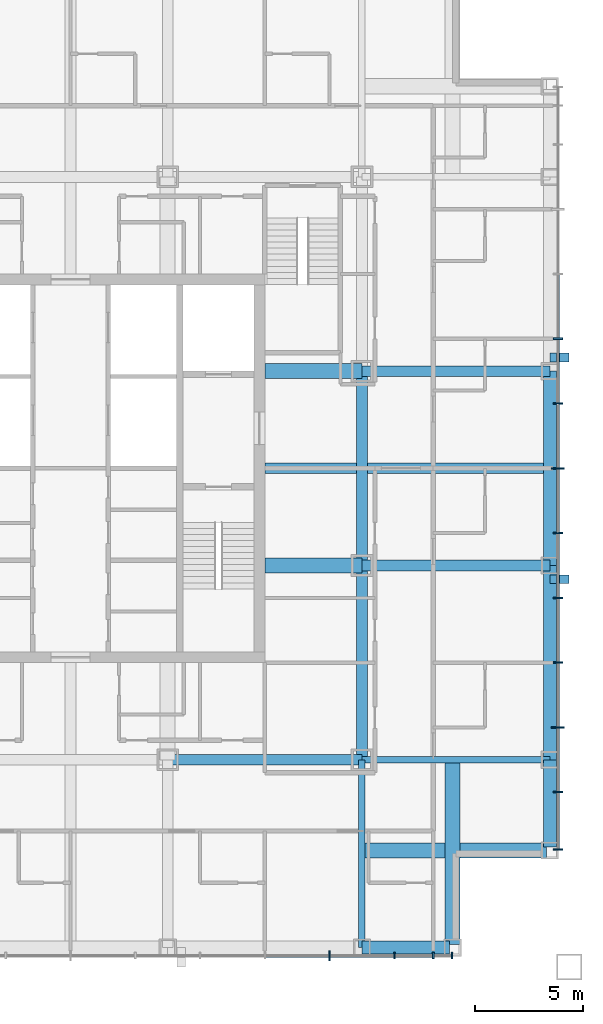
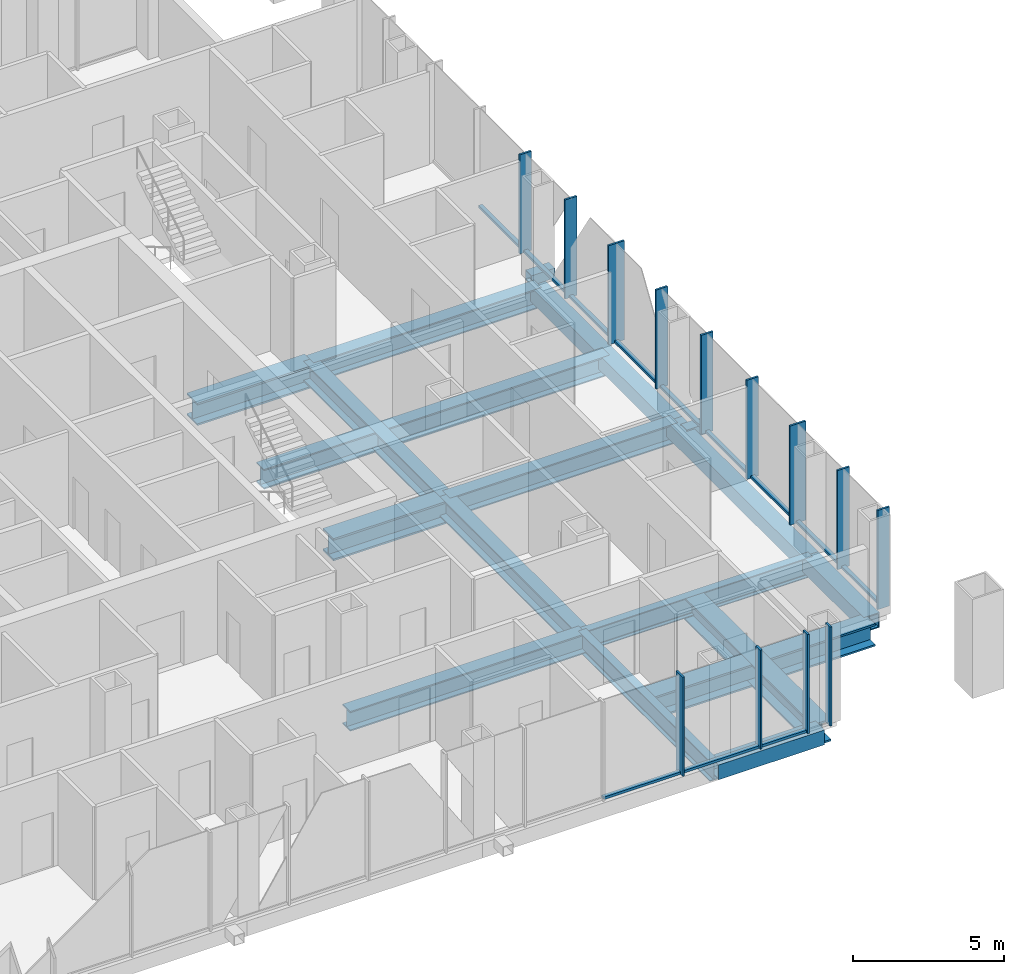
# One storey, part 3 of 17: 27 members, 16 beams, 2 elements without a shape of their own.
"""IFC4 building model written with IfcOpenShell, lengths in metres."""

from ifc_helpers import new_model, si_unit, direction, frame, origin, origin_2d, place, context, subcontext, project, spatial, rectangle, hollow_rectangle, i_section, extrude, material, layer, layer_set, material_profile, profile_set, type_object, element, aggregate, save


model = new_model("IFC4")

# Units and contexts
model_context = context("Model", 3, precision=1e-05, world=origin(), true_north=direction((0.0, 1.0)))
body_context = subcontext(model_context, "Body", "Model", "MODEL_VIEW")
ifc_project = project(units=[si_unit("LENGTHUNIT", "METRE"), si_unit("AREAUNIT", "SQUARE_METRE"), si_unit("VOLUMEUNIT", "CUBIC_METRE"), si_unit("PLANEANGLEUNIT", "RADIAN"), si_unit("MASSUNIT", "GRAM", prefix="KILO")], contexts=[model_context])

# Site, building, storey
site_placement = place(None, origin())
site = spatial("IfcSite", under=ifc_project, at=site_placement, CompositionType="ELEMENT")
building_placement = place(site_placement, origin())
building = spatial("IfcBuilding", under=site, at=building_placement, Name="Malebo Sky Hospital", CompositionType="ELEMENT")
storey_placement = place(building_placement, frame((0.0, 0.0, 237.0)))
storey = spatial("IfcBuildingStorey", under=building, at=storey_placement, Name="L57", CompositionType="ELEMENT", Elevation=237.0)

# Curtain wall, members
ifc_material_1 = material(Name="Anodised aluminium, natural silver", Category="aluminium")
ifc_layer_1 = layer(ifc_material_1, 0.25)
ifc_layer_set_1 = layer_set([ifc_layer_1], Name="WARD CURTAIN WALL NORTH AND SOUTH")
curtain_wall_type_1 = type_object("IfcCurtainWallType", Name="WARD CURTAIN WALL NORTH AND SOUTH", PredefinedType="NOTDEFINED", material=ifc_layer_set_1)
curtain_wall_1_placement = place(storey_placement, origin())
curtain_wall_1 = element("IfcCurtainWall", 1, at=curtain_wall_1_placement, inside=storey, type_object=curtain_wall_type_1, Name="NS curtain wall S", PredefinedType="NOTDEFINED")
ifc_material_profile_1 = material_profile(ifc_material_1, rectangle(XDim=0.14990234375, YDim=0.10009765625, at=origin_2d()), Name="ALUMINIUM TRANSOM 150x100")
ifc_profile_set_1 = profile_set([ifc_material_profile_1], Name="Anodised aluminium, natural silver")
member_type_1 = type_object("IfcMemberType", Name="ALUMINIUM TRANSOM 150x100", PredefinedType="USERDEFINED", material=ifc_profile_set_1)
member_1_placement = place(storey_placement, frame((76.762451171875, 39.425048828125, 0.050048828125), z_axis=(-1.0, 0.0, 0.0), x_axis=(0.0, -1.0, 0.0)))
member_1 = element("IfcMember", 2, at=member_1_placement, type_object=member_type_1, Name="Transom 2", ObjectType="TRANSOM", PredefinedType="USERDEFINED", context=body_context, shape_type="SweptSolid", body=[
    extrude(rectangle(XDim=0.14990234375, YDim=0.10009765625, at=origin_2d()), origin(), (0.0, 0.0, 1.0), 1.724853515625),
])
member_2_placement = place(storey_placement, frame((74.96240234375, 39.425048828125, 0.050048828125), z_axis=(-1.0, 0.0, 0.0), x_axis=(0.0, -1.0, 0.0)))
member_2 = element("IfcMember", 3, at=member_2_placement, type_object=member_type_1, Name="Transom 3", ObjectType="TRANSOM", PredefinedType="USERDEFINED", context=body_context, shape_type="SweptSolid", body=[
    extrude(rectangle(XDim=0.14990234375, YDim=0.10009765625, at=origin_2d()), origin(), (0.0, 0.0, 1.0), 2.9248046875),
])
member_3_placement = place(storey_placement, frame((71.96240234375, 39.425048828125, 0.050048828125), z_axis=(-1.0, 0.0, 0.0), x_axis=(0.0, -1.0, 0.0)))
member_3 = element("IfcMember", 4, at=member_3_placement, type_object=member_type_1, Name="Transom 4", ObjectType="TRANSOM", PredefinedType="USERDEFINED", context=body_context, shape_type="SweptSolid", body=[
    extrude(rectangle(XDim=0.14990234375, YDim=0.10009765625, at=origin_2d()), origin(), (0.0, 0.0, 1.0), 2.9248046875),
])

ifc_layer_2 = layer(ifc_material_1, 0.25)
ifc_layer_set_2 = layer_set([ifc_layer_2], Name="WARD CURTAIN WALL EAST AND WEST")
curtain_wall_type_2 = type_object("IfcCurtainWallType", Name="WARD CURTAIN WALL EAST AND WEST", PredefinedType="NOTDEFINED", material=ifc_layer_set_2)
curtain_wall_2_placement = place(storey_placement, origin())
curtain_wall_2 = element("IfcCurtainWall", 5, at=curtain_wall_2_placement, inside=storey, type_object=curtain_wall_type_2, Name="EW curtain wall E", PredefinedType="NOTDEFINED")
member_4_placement = place(storey_placement, frame((82.574951171875, 70.96240234375, 0.050048828125), z_axis=(0.0, -1.0, 0.0), x_axis=(1.0, 0.0, 0.0)))
member_4 = element("IfcMember", 6, at=member_4_placement, type_object=member_type_1, Name="Transom 5", ObjectType="TRANSOM", PredefinedType="USERDEFINED", context=body_context, shape_type="SweptSolid", body=[
    extrude(rectangle(XDim=0.14990234375, YDim=0.10009765625, at=origin_2d()), origin(), (0.0, 0.0, 1.0), 2.9248046875),
])
member_5_placement = place(storey_placement, frame((82.574951171875, 67.96240234375, 0.050048828125), z_axis=(0.0, -1.0, 0.0), x_axis=(1.0, 0.0, 0.0)))
member_5 = element("IfcMember", 7, at=member_5_placement, type_object=member_type_1, Name="Transom 6", ObjectType="TRANSOM", PredefinedType="USERDEFINED", context=body_context, shape_type="SweptSolid", body=[
    extrude(rectangle(XDim=0.14990234375, YDim=0.10009765625, at=origin_2d()), origin(), (0.0, 0.0, 1.0), 2.9248046875),
])
member_6_placement = place(storey_placement, frame((82.574951171875, 64.96240234375, 0.050048828125), z_axis=(0.0, -1.0, 0.0), x_axis=(1.0, 0.0, 0.0)))
member_6 = element("IfcMember", 8, at=member_6_placement, type_object=member_type_1, Name="Transom 7", ObjectType="TRANSOM", PredefinedType="USERDEFINED", context=body_context, shape_type="SweptSolid", body=[
    extrude(rectangle(XDim=0.14990234375, YDim=0.10009765625, at=origin_2d()), origin(), (0.0, 0.0, 1.0), 2.9248046875),
])
member_7_placement = place(storey_placement, frame((82.574951171875, 61.96240234375, 0.050048828125), z_axis=(0.0, -1.0, 0.0), x_axis=(1.0, 0.0, 0.0)))
member_7 = element("IfcMember", 9, at=member_7_placement, type_object=member_type_1, Name="Transom 8", ObjectType="TRANSOM", PredefinedType="USERDEFINED", context=body_context, shape_type="SweptSolid", body=[
    extrude(rectangle(XDim=0.14990234375, YDim=0.10009765625, at=origin_2d()), origin(), (0.0, 0.0, 1.0), 2.9248046875),
])
member_8_placement = place(storey_placement, frame((82.574951171875, 58.96240234375, 0.050048828125), z_axis=(0.0, -1.0, 0.0), x_axis=(1.0, 0.0, 0.0)))
member_8 = element("IfcMember", 10, at=member_8_placement, type_object=member_type_1, Name="Transom 9", ObjectType="TRANSOM", PredefinedType="USERDEFINED", context=body_context, shape_type="SweptSolid", body=[
    extrude(rectangle(XDim=0.14990234375, YDim=0.10009765625, at=origin_2d()), origin(), (0.0, 0.0, 1.0), 2.9248046875),
])
member_9_placement = place(storey_placement, frame((82.574951171875, 55.96240234375, 0.050048828125), z_axis=(0.0, -1.0, 0.0), x_axis=(1.0, 0.0, 0.0)))
member_9 = element("IfcMember", 11, at=member_9_placement, type_object=member_type_1, Name="Transom 10", ObjectType="TRANSOM", PredefinedType="USERDEFINED", context=body_context, shape_type="SweptSolid", body=[
    extrude(rectangle(XDim=0.14990234375, YDim=0.10009765625, at=origin_2d()), origin(), (0.0, 0.0, 1.0), 2.9248046875),
])
member_10_placement = place(storey_placement, frame((82.574951171875, 52.96240234375, 0.050048828125), z_axis=(0.0, -1.0, 0.0), x_axis=(1.0, 0.0, 0.0)))
member_10 = element("IfcMember", 12, at=member_10_placement, type_object=member_type_1, Name="Transom 11", ObjectType="TRANSOM", PredefinedType="USERDEFINED", context=body_context, shape_type="SweptSolid", body=[
    extrude(rectangle(XDim=0.14990234375, YDim=0.10009765625, at=origin_2d()), origin(), (0.0, 0.0, 1.0), 2.9248046875),
])
member_11_placement = place(storey_placement, frame((82.574951171875, 49.96240234375, 0.050048828125), z_axis=(0.0, -1.0, 0.0), x_axis=(1.0, 0.0, 0.0)))
member_11 = element("IfcMember", 13, at=member_11_placement, type_object=member_type_1, Name="Transom 12", ObjectType="TRANSOM", PredefinedType="USERDEFINED", context=body_context, shape_type="SweptSolid", body=[
    extrude(rectangle(XDim=0.14990234375, YDim=0.10009765625, at=origin_2d()), origin(), (0.0, 0.0, 1.0), 2.9248046875),
])
member_12_placement = place(storey_placement, frame((82.574951171875, 46.96240234375, 0.050048828125), z_axis=(0.0, -1.0, 0.0), x_axis=(1.0, 0.0, 0.0)))
member_12 = element("IfcMember", 14, at=member_12_placement, type_object=member_type_1, Name="Transom 13", ObjectType="TRANSOM", PredefinedType="USERDEFINED", context=body_context, shape_type="SweptSolid", body=[
    extrude(rectangle(XDim=0.14990234375, YDim=0.10009765625, at=origin_2d()), origin(), (0.0, 0.0, 1.0), 2.58740234375),
])

# Members
ifc_material_2 = material(Name="Steel S355", Category="steel")
ifc_material_profile_2 = material_profile(ifc_material_2, hollow_rectangle(XDim=0.39990234375, YDim=0.39990234375, WallThickness=0.02001953125, at=origin_2d()), Name="SHS 400x20")
ifc_profile_set_2 = profile_set([ifc_material_profile_2], Name="Steel S355")
member_type_2 = type_object("IfcMemberType", Name="BRACE STRUT SHS 400x20", PredefinedType="STRUT", material=ifc_profile_set_2)
for number, where, z_axis, x_axis, name in (
    (15, (83.10009765625, 56.86669921875, -0.39990234375), (-1.0, 0.0, 0.0), (0.0, -1.0, 0.0), "Brace strut CE1 L57"),
    (16, (83.10009765625, 67.13330078125, -0.39990234375), (-1.0, 0.0, 0.0), (0.0, -1.0, 0.0), "Brace strut CE2 L57"),
):
    element("IfcMember", number, at=place(storey_placement, frame(where, z_axis=z_axis, x_axis=x_axis)), inside=storey, type_object=member_type_2, Name=name, PredefinedType="STRUT", context=body_context, shape_type="SweptSolid", body=[
        extrude(hollow_rectangle(XDim=0.39990234375, YDim=0.39990234375, WallThickness=0.02001953125, at=origin_2d()), origin(), (0.0, 0.0, 1.0), 0.900146484375),
    ])

# Member
ifc_material_profile_3 = material_profile(ifc_material_1, rectangle(XDim=0.074951171875, YDim=0.300048828125, at=origin_2d()), Name="CW1 ALUMINIUM FIN MULLION 75x300")
ifc_profile_set_3 = profile_set([ifc_material_profile_3], Name="Anodised aluminium, natural silver")
member_type_3 = type_object("IfcMemberType", Name="CW1 ALUMINIUM FIN MULLION 75x300", PredefinedType="MULLION", material=ifc_profile_set_3)
member_13_placement = place(storey_placement, frame((77.66259765625, 39.425048828125, 0.0), z_axis=(0.0, 0.0, 1.0), x_axis=(-1.0, 0.0, 0.0)))
member_13 = element("IfcMember", 17, at=member_13_placement, type_object=member_type_3, Name="Fin mullion 1", PredefinedType="MULLION", context=body_context, shape_type="SweptSolid", body=[
    extrude(rectangle(XDim=0.074951171875, YDim=0.300048828125, at=origin_2d()), origin(), (0.0, 0.0, 1.0), 4.0),
])

member_14_placement = place(storey_placement, frame((76.800048828125, 39.425048828125, 0.0), z_axis=(0.0, 0.0, 1.0), x_axis=(-1.0, 0.0, 0.0)))
member_14 = element("IfcMember", 18, at=member_14_placement, type_object=member_type_3, Name="Fin mullion 2", PredefinedType="MULLION", context=body_context, shape_type="SweptSolid", body=[
    extrude(rectangle(XDim=0.074951171875, YDim=0.300048828125, at=origin_2d()), origin(), (0.0, 0.0, 1.0), 4.0),
])

member_15_placement = place(storey_placement, frame((75.0, 39.425048828125, 0.0), z_axis=(0.0, 0.0, 1.0), x_axis=(-1.0, 0.0, 0.0)))
member_15 = element("IfcMember", 19, at=member_15_placement, type_object=member_type_3, Name="Fin mullion 3", PredefinedType="MULLION", context=body_context, shape_type="SweptSolid", body=[
    extrude(rectangle(XDim=0.074951171875, YDim=0.300048828125, at=origin_2d()), origin(), (0.0, 0.0, 1.0), 4.0),
])

ifc_material_profile_4 = material_profile(ifc_material_1, rectangle(XDim=0.074951171875, YDim=0.449951171875, at=origin_2d()), Name="CW1 ALUMINIUM FIN MULLION 75x450")
ifc_profile_set_4 = profile_set([ifc_material_profile_4], Name="Anodised aluminium, natural silver")
member_type_4 = type_object("IfcMemberType", Name="CW1 ALUMINIUM FIN MULLION 75x450", PredefinedType="MULLION", material=ifc_profile_set_4)
member_16_placement = place(storey_placement, frame((72.0, 39.425048828125, 0.0), z_axis=(0.0, 0.0, 1.0), x_axis=(-1.0, 0.0, 0.0)))
member_16 = element("IfcMember", 20, at=member_16_placement, type_object=member_type_4, Name="Fin mullion 4", PredefinedType="MULLION", context=body_context, shape_type="SweptSolid", body=[
    extrude(rectangle(XDim=0.074951171875, YDim=0.449951171875, at=origin_2d()), origin(), (0.0, 0.0, 1.0), 4.0),
])

aggregate(curtain_wall_1, [member_13, member_14, member_15, member_16, member_1, member_2, member_3])

ifc_material_profile_5 = material_profile(ifc_material_1, rectangle(XDim=0.074951171875, YDim=0.449951171875, at=origin_2d()), Name="CW2 ALUMINIUM FIN MULLION 75x450")
ifc_profile_set_5 = profile_set([ifc_material_profile_5], Name="Anodised aluminium, natural silver")
member_type_5 = type_object("IfcMemberType", Name="CW2 ALUMINIUM FIN MULLION 75x450", PredefinedType="MULLION", material=ifc_profile_set_5)
member_17_placement = place(storey_placement, frame((82.574951171875, 68.0, 0.0), z_axis=(0.0, 0.0, 1.0), x_axis=(0.0, -1.0, 0.0)))
member_17 = element("IfcMember", 21, at=member_17_placement, type_object=member_type_5, Name="Fin mullion 6", PredefinedType="MULLION", context=body_context, shape_type="SweptSolid", body=[
    extrude(rectangle(XDim=0.074951171875, YDim=0.449951171875, at=origin_2d()), origin(), (0.0, 0.0, 1.0), 4.0),
])

member_18_placement = place(storey_placement, frame((82.574951171875, 65.0, 0.0), z_axis=(0.0, 0.0, 1.0), x_axis=(0.0, -1.0, 0.0)))
member_18 = element("IfcMember", 22, at=member_18_placement, type_object=member_type_5, Name="Fin mullion 7", PredefinedType="MULLION", context=body_context, shape_type="SweptSolid", body=[
    extrude(rectangle(XDim=0.074951171875, YDim=0.449951171875, at=origin_2d()), origin(), (0.0, 0.0, 1.0), 4.0),
])

member_19_placement = place(storey_placement, frame((82.574951171875, 59.0, 0.0), z_axis=(0.0, 0.0, 1.0), x_axis=(0.0, -1.0, 0.0)))
member_19 = element("IfcMember", 23, at=member_19_placement, type_object=member_type_5, Name="Fin mullion 9", PredefinedType="MULLION", context=body_context, shape_type="SweptSolid", body=[
    extrude(rectangle(XDim=0.074951171875, YDim=0.449951171875, at=origin_2d()), origin(), (0.0, 0.0, 1.0), 4.0),
])

member_20_placement = place(storey_placement, frame((82.574951171875, 56.0, 0.0), z_axis=(0.0, 0.0, 1.0), x_axis=(0.0, -1.0, 0.0)))
member_20 = element("IfcMember", 24, at=member_20_placement, type_object=member_type_5, Name="Fin mullion 10", PredefinedType="MULLION", context=body_context, shape_type="SweptSolid", body=[
    extrude(rectangle(XDim=0.074951171875, YDim=0.449951171875, at=origin_2d()), origin(), (0.0, 0.0, 1.0), 4.0),
])

member_21_placement = place(storey_placement, frame((82.574951171875, 53.0, 0.0), z_axis=(0.0, 0.0, 1.0), x_axis=(0.0, -1.0, 0.0)))
member_21 = element("IfcMember", 25, at=member_21_placement, type_object=member_type_5, Name="Fin mullion 11", PredefinedType="MULLION", context=body_context, shape_type="SweptSolid", body=[
    extrude(rectangle(XDim=0.074951171875, YDim=0.449951171875, at=origin_2d()), origin(), (0.0, 0.0, 1.0), 4.0),
])

member_22_placement = place(storey_placement, frame((82.574951171875, 47.0, 0.0), z_axis=(0.0, 0.0, 1.0), x_axis=(0.0, -1.0, 0.0)))
member_22 = element("IfcMember", 26, at=member_22_placement, type_object=member_type_5, Name="Fin mullion 13", PredefinedType="MULLION", context=body_context, shape_type="SweptSolid", body=[
    extrude(rectangle(XDim=0.074951171875, YDim=0.449951171875, at=origin_2d()), origin(), (0.0, 0.0, 1.0), 4.0),
])

member_23_placement = place(storey_placement, frame((82.574951171875, 44.33740234375, 0.0), z_axis=(0.0, 0.0, 1.0), x_axis=(0.0, -1.0, 0.0)))
member_23 = element("IfcMember", 27, at=member_23_placement, type_object=member_type_5, Name="Fin mullion 14", PredefinedType="MULLION", context=body_context, shape_type="SweptSolid", body=[
    extrude(rectangle(XDim=0.074951171875, YDim=0.449951171875, at=origin_2d()), origin(), (0.0, 0.0, 1.0), 4.0),
])

ifc_material_profile_6 = material_profile(ifc_material_1, rectangle(XDim=0.074951171875, YDim=0.60009765625, at=origin_2d()), Name="CW2 ALUMINIUM FIN MULLION 75x600")
ifc_profile_set_6 = profile_set([ifc_material_profile_6], Name="Anodised aluminium, natural silver")
member_type_6 = type_object("IfcMemberType", Name="CW2 ALUMINIUM FIN MULLION 75x600", PredefinedType="MULLION", material=ifc_profile_set_6)
member_24_placement = place(storey_placement, frame((82.574951171875, 62.0, 0.0), z_axis=(0.0, 0.0, 1.0), x_axis=(0.0, -1.0, 0.0)))
member_24 = element("IfcMember", 28, at=member_24_placement, type_object=member_type_6, Name="Fin mullion 8", PredefinedType="MULLION", context=body_context, shape_type="SweptSolid", body=[
    extrude(rectangle(XDim=0.074951171875, YDim=0.60009765625, at=origin_2d()), origin(), (0.0, 0.0, 1.0), 4.0),
])

member_25_placement = place(storey_placement, frame((82.574951171875, 50.0, 0.0), z_axis=(0.0, 0.0, 1.0), x_axis=(0.0, -1.0, 0.0)))
member_25 = element("IfcMember", 29, at=member_25_placement, type_object=member_type_6, Name="Fin mullion 12", PredefinedType="MULLION", context=body_context, shape_type="SweptSolid", body=[
    extrude(rectangle(XDim=0.074951171875, YDim=0.60009765625, at=origin_2d()), origin(), (0.0, 0.0, 1.0), 4.0),
])

aggregate(curtain_wall_2, [member_17, member_18, member_24, member_19, member_20, member_21, member_25, member_22, member_23, member_4, member_5, member_6, member_7, member_8, member_9, member_10, member_11, member_12])

# Beams
ifc_material_3 = material(Name="Steel S460", Category="steel")
ifc_material_profile_7 = material_profile(ifc_material_3, hollow_rectangle(XDim=0.60009765625, YDim=0.60009765625, WallThickness=0.0400390625, at=origin_2d()), Name="BOX 600x600x40")
ifc_profile_set_7 = profile_set([ifc_material_profile_7], Name="Steel S460")
beam_type_1 = type_object("IfcBeamType", Name="EDGE BEAM BOX 600x600x40", PredefinedType="BEAM", material=ifc_profile_set_7)
beam_1_placement = place(storey_placement, frame((82.199951171875, 44.449951171875, -0.550048828125), z_axis=(0.0, 1.0, 0.0), x_axis=(-1.0, 0.0, 0.0)))
element("IfcBeam", 30, at=beam_1_placement, inside=storey, type_object=beam_type_1, Name="Beam 029 L57", PredefinedType="BEAM", context=body_context, shape_type="SweptSolid", body=[
    extrude(hollow_rectangle(XDim=0.60009765625, YDim=0.60009765625, WallThickness=0.0400390625, at=origin_2d()), origin(), (0.0, 0.0, 1.0), 4.050048828125),
])
for number, where, z_axis, x_axis, name in (
    (31, (82.199951171875, 48.5, -0.550048828125), (0.0, 1.0, 0.0), (-1.0, 0.0, 0.0), "Beam 030 L57"),
    (32, (82.199951171875, 57.5, -0.550048828125), (0.0, 1.0, 0.0), (-1.0, 0.0, 0.0), "Beam 031 L57"),
):
    element("IfcBeam", number, at=place(storey_placement, frame(where, z_axis=z_axis, x_axis=x_axis)), inside=storey, type_object=beam_type_1, Name=name, PredefinedType="BEAM", context=body_context, shape_type="SweptSolid", body=[
        extrude(hollow_rectangle(XDim=0.60009765625, YDim=0.60009765625, WallThickness=0.0400390625, at=origin_2d()), origin(), (0.0, 0.0, 1.0), 9.0),
    ])
beam_2_placement = place(storey_placement, frame((73.5, 39.800048828125, -0.550048828125), z_axis=(1.0, 0.0, 0.0), x_axis=(0.0, 1.0, 0.0)))
element("IfcBeam", 33, at=beam_2_placement, inside=storey, type_object=beam_type_1, Name="Beam 038 L57", PredefinedType="BEAM", context=body_context, shape_type="SweptSolid", body=[
    extrude(hollow_rectangle(XDim=0.60009765625, YDim=0.60009765625, WallThickness=0.0400390625, at=origin_2d()), origin(), (0.0, 0.0, 1.0), 4.050048828125),
])
ifc_material_profile_8 = material_profile(ifc_material_2, i_section(OverallWidth=0.5, OverallDepth=0.800048828125, WebThickness=0.030029296875, FlangeThickness=0.050048828125, at=origin_2d()), Name="PG 800x500x30x50")
ifc_profile_set_8 = profile_set([ifc_material_profile_8], Name="Steel S355")
beam_type_2 = type_object("IfcBeamType", Name="FLOOR BEAM PG 800x500x30x50", PredefinedType="BEAM", material=ifc_profile_set_8)
for number, where, z_axis, x_axis, name in (
    (34, (73.5, 48.5, -0.64990234375), (0.0, 1.0, 0.0), (-1.0, 0.0, 0.0), "Beam 023 L57"),
    (35, (64.5, 48.5, -0.64990234375), (1.0, 0.0, 0.0), (0.0, 1.0, 0.0), "Beam 044 L57"),
):
    element("IfcBeam", number, at=place(storey_placement, frame(where, z_axis=z_axis, x_axis=x_axis)), inside=storey, type_object=beam_type_2, Name=name, PredefinedType="BEAM", context=body_context, shape_type="SweptSolid", body=[
        extrude(i_section(OverallWidth=0.5, OverallDepth=0.800048828125, WebThickness=0.030029296875, FlangeThickness=0.050048828125, at=origin_2d()), origin(), (0.0, 0.0, 1.0), 9.0),
    ])
beam_3_placement = place(storey_placement, frame((73.5, 57.5, -0.64990234375), z_axis=(1.0, 0.0, 0.0), x_axis=(0.0, 1.0, 0.0)))
element("IfcBeam", 36, at=beam_3_placement, inside=storey, type_object=beam_type_2, Name="Beam 049 L57", PredefinedType="BEAM", context=body_context, shape_type="SweptSolid", body=[
    extrude(i_section(OverallWidth=0.5, OverallDepth=0.800048828125, WebThickness=0.030029296875, FlangeThickness=0.050048828125, at=origin_2d()), origin(), (0.0, 0.0, 1.0), 8.699951171875),
])
beam_4_placement = place(storey_placement, frame((69.0, 62.0, -0.64990234375), z_axis=(1.0, 0.0, 0.0), x_axis=(0.0, 1.0, 0.0)))
element("IfcBeam", 37, at=beam_4_placement, inside=storey, type_object=beam_type_2, Name="Beam 051 L57", PredefinedType="BEAM", context=body_context, shape_type="SweptSolid", body=[
    extrude(i_section(OverallWidth=0.5, OverallDepth=0.800048828125, WebThickness=0.030029296875, FlangeThickness=0.050048828125, at=origin_2d()), origin(), (0.0, 0.0, 1.0), 13.199951171875),
])
beam_5_placement = place(storey_placement, frame((73.5, 66.5, -0.64990234375), z_axis=(1.0, 0.0, 0.0), x_axis=(0.0, 1.0, 0.0)))
element("IfcBeam", 38, at=beam_5_placement, inside=storey, type_object=beam_type_2, Name="Beam 055 L57", PredefinedType="BEAM", context=body_context, shape_type="SweptSolid", body=[
    extrude(i_section(OverallWidth=0.5, OverallDepth=0.800048828125, WebThickness=0.030029296875, FlangeThickness=0.050048828125, at=origin_2d()), origin(), (0.0, 0.0, 1.0), 8.699951171875),
])
ifc_material_profile_9 = material_profile(ifc_material_2, i_section(OverallWidth=0.699951171875, OverallDepth=0.89990234375, WebThickness=0.0400390625, FlangeThickness=0.070068359375, at=origin_2d()), Name="PG 900x700x40x70")
ifc_profile_set_9 = profile_set([ifc_material_profile_9], Name="Steel S355")
beam_type_3 = type_object("IfcBeamType", Name="FLOOR BEAM PG 900x700x40x70", PredefinedType="BEAM", material=ifc_profile_set_9)
for number, where, z_axis, x_axis, name in (
    (39, (77.699951171875, 39.949951171875, -0.699951171875), (0.0, 1.0, 0.0), (-1.0, 0.0, 0.0), "Beam 027 L57"),
    (40, (73.5, 44.300048828125, -0.699951171875), (1.0, 0.0, 0.0), (0.0, 1.0, 0.0), "Beam 040 L57"),
):
    element("IfcBeam", number, at=place(storey_placement, frame(where, z_axis=z_axis, x_axis=x_axis)), inside=storey, type_object=beam_type_3, Name=name, PredefinedType="BEAM", context=body_context, shape_type="SweptSolid", body=[
        extrude(i_section(OverallWidth=0.699951171875, OverallDepth=0.89990234375, WebThickness=0.0400390625, FlangeThickness=0.070068359375, at=origin_2d()), origin(), (0.0, 0.0, 1.0), 8.550048828125),
    ])
for number, where, z_axis, x_axis, name in (
    (41, (69.0, 57.5, -0.699951171875), (1.0, 0.0, 0.0), (0.0, 1.0, 0.0), "Beam 048 L57"),
    (42, (69.0, 66.5, -0.699951171875), (1.0, 0.0, 0.0), (0.0, 1.0, 0.0), "Beam 054 L57"),
):
    element("IfcBeam", number, at=place(storey_placement, frame(where, z_axis=z_axis, x_axis=x_axis)), inside=storey, type_object=beam_type_3, Name=name, PredefinedType="BEAM", context=body_context, shape_type="SweptSolid", body=[
        extrude(i_section(OverallWidth=0.699951171875, OverallDepth=0.89990234375, WebThickness=0.0400390625, FlangeThickness=0.070068359375, at=origin_2d()), origin(), (0.0, 0.0, 1.0), 4.5),
    ])
ifc_material_profile_10 = material_profile(ifc_material_2, i_section(OverallWidth=0.300048828125, OverallDepth=0.800048828125, WebThickness=0.017578125, FlangeThickness=0.032958984375, FilletRadius=0.030029296875, at=origin_2d()), Name="HEB 800")
ifc_profile_set_10 = profile_set([ifc_material_profile_10], Name="Steel S355")
beam_type_4 = type_object("IfcBeamType", Name="FLOOR GIRDER HEB 800", PredefinedType="BEAM", material=ifc_profile_set_10)
for number, where, z_axis, x_axis, name in (
    (43, (73.5, 39.800048828125, -0.64990234375), (0.0, 1.0, 0.0), (-1.0, 0.0, 0.0), "Beam 022 L57"),
    (44, (73.5, 48.5, -0.64990234375), (1.0, 0.0, 0.0), (0.0, 1.0, 0.0), "Beam 045 L57"),
):
    element("IfcBeam", number, at=place(storey_placement, frame(where, z_axis=z_axis, x_axis=x_axis)), inside=storey, type_object=beam_type_4, Name=name, PredefinedType="BEAM", context=body_context, shape_type="SweptSolid", body=[
        extrude(i_section(OverallWidth=0.300048828125, OverallDepth=0.800048828125, WebThickness=0.017578125, FlangeThickness=0.032958984375, FilletRadius=0.030029296875, at=origin_2d()), origin(), (0.0, 0.0, 1.0), 8.699951171875),
    ])
ifc_material_profile_11 = material_profile(ifc_material_2, i_section(OverallWidth=0.5, OverallDepth=0.800048828125, WebThickness=0.030029296875, FlangeThickness=0.050048828125, at=origin_2d()), Name="PG 800x500x30x50")
ifc_profile_set_11 = profile_set([ifc_material_profile_11], Name="Steel S355")
beam_type_5 = type_object("IfcBeamType", Name="RING GIRDER PG 800x500x30x50", PredefinedType="BEAM", material=ifc_profile_set_11)
beam_6_placement = place(storey_placement, frame((73.5, 57.5, -0.64990234375), z_axis=(0.0, 1.0, 0.0), x_axis=(-1.0, 0.0, 0.0)))
element("IfcBeam", 45, at=beam_6_placement, inside=storey, type_object=beam_type_5, Name="Beam 024 L57", PredefinedType="BEAM", context=body_context, shape_type="SweptSolid", body=[
    extrude(i_section(OverallWidth=0.5, OverallDepth=0.800048828125, WebThickness=0.030029296875, FlangeThickness=0.050048828125, at=origin_2d()), origin(), (0.0, 0.0, 1.0), 9.0),
])

save(model, "model.ifc")
